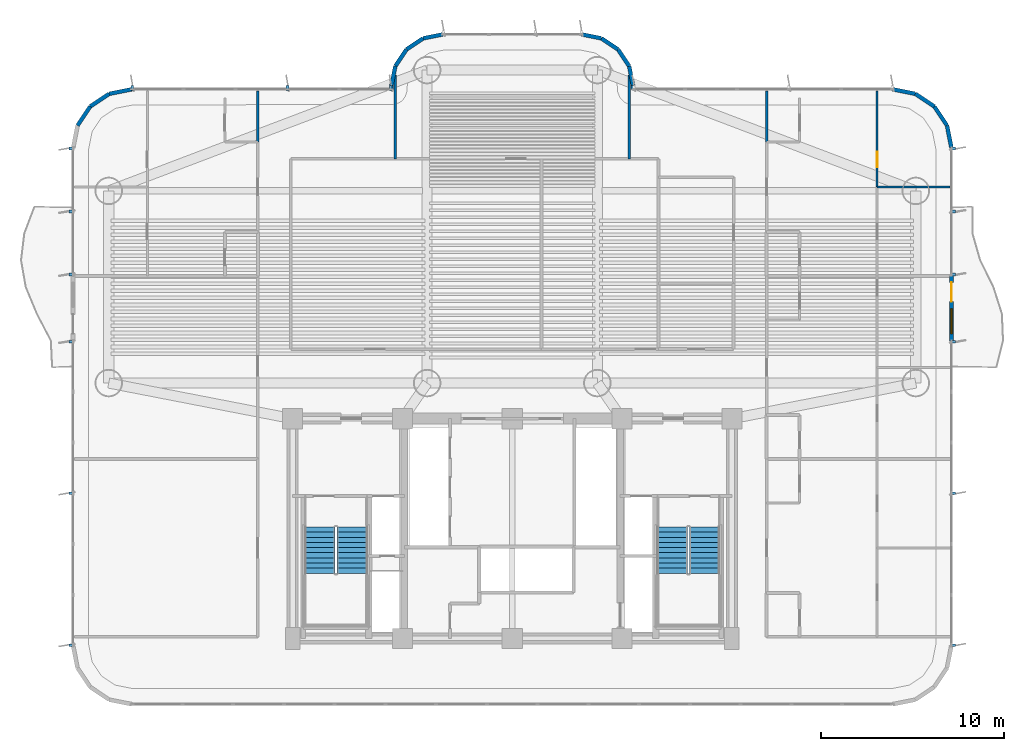
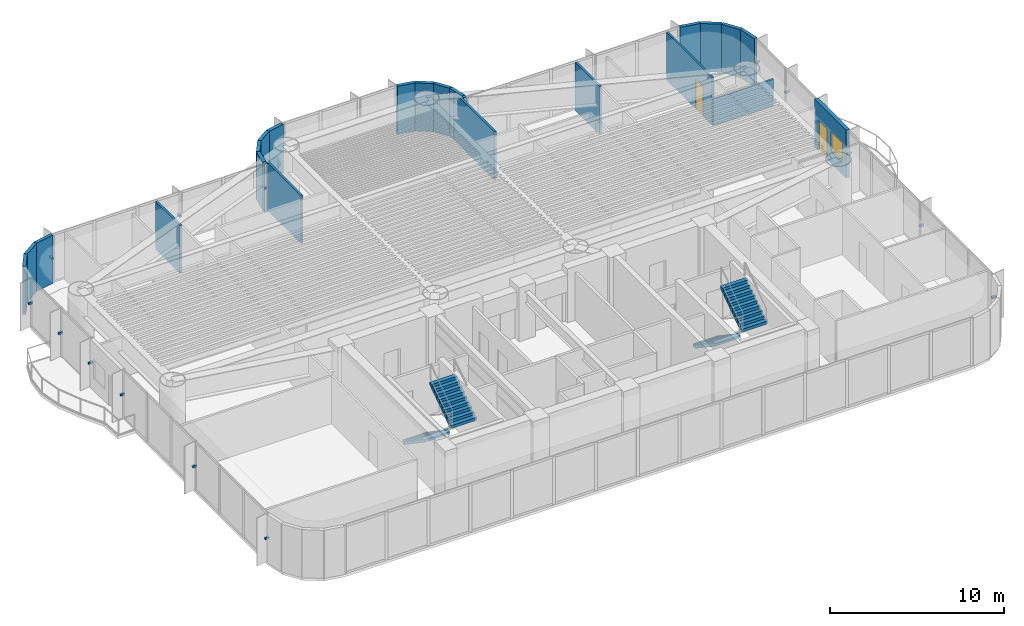
# One storey, part 12 of 17: 24 walls, 15 discrete accessories, 4 stair flights, 2 doors, 1 window, 3 openings, 2 elements without a shape of their own.
"""IFC4 building model written with IfcOpenShell, lengths in metres."""

from ifc_helpers import new_model, si_unit, direction, frame, frame_2d, origin, origin_2d, place, context, subcontext, project, spatial, polyline, rectangle, outline, extrude, source, transform, mapped, material, layer, layer_set, type_object, element, fill, aggregate, save


model = new_model("IFC4")

# Units and contexts
model_context = context("Model", 3, precision=1e-05, world=origin(), true_north=direction((0.0, 1.0)))
body_context = subcontext(model_context, "Body", "Model", "MODEL_VIEW")
ifc_project = project(units=[si_unit("LENGTHUNIT", "METRE"), si_unit("AREAUNIT", "SQUARE_METRE"), si_unit("VOLUMEUNIT", "CUBIC_METRE"), si_unit("PLANEANGLEUNIT", "RADIAN"), si_unit("MASSUNIT", "GRAM", prefix="KILO")], contexts=[model_context])

# Site, building, storey
site_placement = place(None, origin())
site = spatial("IfcSite", under=ifc_project, at=site_placement, CompositionType="ELEMENT")
building_placement = place(site_placement, origin())
building = spatial("IfcBuilding", under=site, at=building_placement, Name="Brelvock Crest Care Tower", CompositionType="ELEMENT")
storey_placement = place(building_placement, frame((0.0, 0.0, 76.139892578125)))
storey = spatial("IfcBuildingStorey", under=building, at=storey_placement, Name="L19", CompositionType="ELEMENT", Elevation=76.139892578125)

# Wall, openings, door, window
ifc_material_1 = material(Name="Precast concrete N40 (40 MPa)", Category="concrete")
ifc_layer_1 = layer(ifc_material_1, 0.239990234375, Name="WL-EX1")
ifc_layer_set_1 = layer_set([ifc_layer_1], Name="Precast concrete N40 (40 MPa)")
wall_type_1 = type_object("IfcWallType", Name="WL-EX1", PredefinedType="SOLIDWALL", material=ifc_layer_set_1)
wall_1_placement = place(storey_placement, frame((60.0, 25.85009765625, 0.0), z_axis=(0.0, 0.0, 1.0), x_axis=(0.0, -1.0, 0.0)))
wall_1 = element("IfcWall", 1, at=wall_1_placement, inside=storey, type_object=wall_type_1, Name="L19 Exterior Spandrel Wall WL-BAL-L19-E", PredefinedType="SOLIDWALL", context=body_context, shape_type="SweptSolid", body=[
    extrude(rectangle(XDim=3.60009765625, YDim=0.239990234375, at=frame_2d((1.800048828125, 0.0))), origin(), (0.0, 0.0, 1.0), 3.3720703125),
])
opening_1_placement = place(wall_1_placement, frame((0.39990234375, 0.0, 0.0)))
opening_1 = element("IfcOpeningElement", 2, at=opening_1_placement, cuts=wall_1, Name="Opening BD-1", PredefinedType="OPENING", context=body_context, shape_type="SweptSolid", body=[
    extrude(rectangle(XDim=1.050048828125, YDim=2.14990234375, at=origin_2d()), frame((0.52490234375, 0.1298828125, 1.074951171875), z_axis=(0.0, -1.0, 0.0), x_axis=(1.0, 0.0, 0.0)), (0.0, 0.0, 1.0), 0.260009765625),
])
opening_2_placement = place(wall_1_placement, frame((1.85009765625, 0.0, 0.85009765625)))
opening_2 = element("IfcOpeningElement", 3, at=opening_2_placement, cuts=wall_1, Name="Opening W-01", PredefinedType="OPENING", context=body_context, shape_type="SweptSolid", body=[
    extrude(rectangle(XDim=1.35009765625, YDim=1.35009765625, at=origin_2d()), frame((0.675048828125, 0.1298828125, 0.675048828125), z_axis=(0.0, -1.0, 0.0), x_axis=(1.0, 0.0, 0.0)), (0.0, 0.0, 1.0), 0.260009765625),
])
ifc_material_2 = material(Name="Dark Glass Double Glazed Low-E", Category="glass")
door_type_1 = type_object("IfcDoorType", Name="DR-BAL1", OperationType="NOTDEFINED", PredefinedType="DOOR", material=ifc_material_2)
shared_shape_1 = source(origin(), body_context, "Body", "SweptSolid", [
    extrude(rectangle(XDim=1.050048828125, YDim=2.14990234375, at=origin_2d()), frame((0.52490234375, 0.02490234375, 1.074951171875), z_axis=(0.0, -1.0, 0.0), x_axis=(1.0, 0.0, 0.0)), (0.0, 0.0, 1.0), 0.050048828125),
])
door_1_placement = place(opening_1_placement, origin())
door_1 = element("IfcDoor", 4, at=door_1_placement, inside=storey, type_object=door_type_1, Name="L19 E Wave Balcony Glazed Door", OperationType="SINGLE_SWING_RIGHT", OverallHeight=2.14990234375, OverallWidth=1.050048828125, PredefinedType="DOOR", context=body_context, shape_type="MappedRepresentation", body=[
    mapped(shared_shape_1, transform((0.0, 0.0, 0.0), x_axis=(1.0, 0.0, 0.0), y_axis=(0.0, 1.0, 0.0), z_axis=(0.0, 0.0, 1.0), scale=1.0)),
])
fill(opening_1, door_1)
window_type = type_object("IfcWindowType", Name="WN-EX1", PartitioningType="SINGLE_PANEL", PredefinedType="WINDOW", material=ifc_material_2)
shared_shape_2 = source(origin(), body_context, "Body", "SweptSolid", [
    extrude(rectangle(XDim=1.35009765625, YDim=1.35009765625, at=origin_2d()), frame((0.675048828125, 0.030029296875, 0.675048828125), z_axis=(0.0, -1.0, 0.0), x_axis=(1.0, 0.0, 0.0)), (0.0, 0.0, 1.0), 0.06005859375),
])
window_placement = place(opening_2_placement, origin())
window = element("IfcWindow", 5, at=window_placement, inside=storey, type_object=window_type, Name="L19 E Suite Casement Window", OverallHeight=1.35009765625, OverallWidth=1.35009765625, PartitioningType="SINGLE_PANEL", PredefinedType="WINDOW", context=body_context, shape_type="MappedRepresentation", body=[
    mapped(shared_shape_2, transform((0.0, 0.0, 0.0), x_axis=(1.0, 0.0, 0.0), y_axis=(0.0, 1.0, 0.0), z_axis=(0.0, 0.0, 1.0), scale=1.0)),
])
fill(opening_2, window)

# Walls
ifc_layer_2 = layer(ifc_material_1, 0.215087890625, Name="WL-EX2")
ifc_layer_set_2 = layer_set([ifc_layer_2], Name="Precast concrete N40 (40 MPa)")
wall_type_2 = type_object("IfcWallType", Name="WL-EX2", PredefinedType="SOLIDWALL", material=ifc_layer_set_2)
for number, where, z_axis, x_axis, name in (
    (6, (58.024658203125, 35.75634765625, 0.0), (0.0, 0.0, 1.0), (0.831478245117, -0.555557312883, 0.0), "L19 Rounded Corner Wall 00"),
    (7, (59.062744140625, 35.062744140625, 0.0), (0.0, 0.0, 1.0), (0.555557312883, -0.831478245117, 0.0), "L19 Rounded Corner Wall 01"),
    (8, (59.75634765625, 34.024658203125, 0.0), (0.0, 0.0, 1.0), (0.195138390419, -0.980775717779, 0.0), "L19 Rounded Corner Wall 02"),
    (9, (12.24365234375, 34.024658203125, 0.0), (0.0, 0.0, 1.0), (0.555557312883, 0.831478245117, 0.0), "L19 Rounded Corner Wall 15"),
    (10, (12.937255859375, 35.062744140625, 0.0), (0.0, 0.0, 1.0), (0.831478245117, 0.555557312883, 0.0), "L19 Rounded Corner Wall 16"),
    (11, (13.975341796875, 35.75634765625, 0.0), (0.0, 0.0, 1.0), (0.980775717779, 0.195138390419, 0.0), "L19 Rounded Corner Wall 17"),
):
    element("IfcWall", number, at=place(storey_placement, frame(where, z_axis=z_axis, x_axis=x_axis)), inside=storey, type_object=wall_type_2, Name=name, PredefinedType="SOLIDWALL", context=body_context, shape_type="SweptSolid", body=[
        extrude(rectangle(XDim=1.24853515625, YDim=0.215087890625, at=frame_2d((0.624267578125, 0.0))), origin(), (0.0, 0.0, 1.0), 3.3720703125),
    ])
wall_2_placement = place(storey_placement, frame((29.39990234375, 36.0, 0.0), z_axis=(0.0, 0.0, 1.0), x_axis=(0.0, 1.0, 0.0)))
element("IfcWall", 12, at=wall_2_placement, inside=storey, type_object=wall_type_2, Name="L19 Rounded Corner Wall 19", PredefinedType="SOLIDWALL", context=body_context, shape_type="SweptSolid", body=[
    extrude(rectangle(XDim=0.199951171875, YDim=0.215087890625, at=frame_2d((0.10009765625, 0.0))), origin(), (0.0, 0.0, 1.0), 3.3720703125),
])
wall_3_placement = place(storey_placement, frame((29.39990234375, 36.199951171875, 0.0), z_axis=(0.0, 0.0, 1.0), x_axis=(0.195084651288, 0.980786408364, 0.0)))
element("IfcWall", 13, at=wall_3_placement, inside=storey, type_object=wall_type_2, Name="L19 Rounded Corner Wall 20", PredefinedType="SOLIDWALL", context=body_context, shape_type="SweptSolid", body=[
    extrude(rectangle(XDim=1.092529296875, YDim=0.215087890625, at=frame_2d((0.54638671875, 0.0))), origin(), (0.0, 0.0, 1.0), 3.3720703125),
])
wall_4_placement = place(storey_placement, frame((29.613037109375, 37.271484375, 0.0), z_axis=(0.0, 0.0, 1.0), x_axis=(0.555679482341, 0.831396603857, 0.0)))
element("IfcWall", 14, at=wall_4_placement, inside=storey, type_object=wall_type_2, Name="L19 Rounded Corner Wall 21", PredefinedType="SOLIDWALL", context=body_context, shape_type="SweptSolid", body=[
    extrude(rectangle(XDim=1.0927734375, YDim=0.215087890625, at=frame_2d((0.54638671875, 0.0))), origin(), (0.0, 0.0, 1.0), 3.3720703125),
])
wall_5_placement = place(storey_placement, frame((30.22021484375, 38.179931640625, 0.0), z_axis=(0.0, 0.0, 1.0), x_axis=(0.831430845238, 0.555628247651, 0.0)))
element("IfcWall", 15, at=wall_5_placement, inside=storey, type_object=wall_type_2, Name="L19 Rounded Corner Wall 22", PredefinedType="SOLIDWALL", context=body_context, shape_type="SweptSolid", body=[
    extrude(rectangle(XDim=1.09228515625, YDim=0.215087890625, at=frame_2d((0.546142578125, 0.0))), origin(), (0.0, 0.0, 1.0), 3.3720703125),
])
for number, where, z_axis, x_axis, name in (
    (16, (31.12841796875, 38.786865234375, 0.0), (0.0, 0.0, 1.0), (0.980786408364, 0.195084651288, 0.0), "L19 Rounded Corner Wall 23"),
    (17, (39.800048828125, 39.0, 0.0), (0.0, 0.0, 1.0), (0.980786408364, -0.195084651288, 0.0), "L19 Rounded Corner Wall 25"),
):
    element("IfcWall", number, at=place(storey_placement, frame(where, z_axis=z_axis, x_axis=x_axis)), inside=storey, type_object=wall_type_2, Name=name, PredefinedType="SOLIDWALL", context=body_context, shape_type="SweptSolid", body=[
        extrude(rectangle(XDim=1.092529296875, YDim=0.215087890625, at=frame_2d((0.54638671875, 0.0))), origin(), (0.0, 0.0, 1.0), 3.3720703125),
    ])
wall_6_placement = place(storey_placement, frame((40.87158203125, 38.786865234375, 0.0), z_axis=(0.0, 0.0, 1.0), x_axis=(0.831430845238, -0.555628247651, 0.0)))
element("IfcWall", 18, at=wall_6_placement, inside=storey, type_object=wall_type_2, Name="L19 Rounded Corner Wall 26", PredefinedType="SOLIDWALL", context=body_context, shape_type="SweptSolid", body=[
    extrude(rectangle(XDim=1.09228515625, YDim=0.215087890625, at=frame_2d((0.546142578125, 0.0))), origin(), (0.0, 0.0, 1.0), 3.3720703125),
])
wall_7_placement = place(storey_placement, frame((41.77978515625, 38.179931640625, 0.0), z_axis=(0.0, 0.0, 1.0), x_axis=(0.555679482341, -0.831396603857, 0.0)))
element("IfcWall", 19, at=wall_7_placement, inside=storey, type_object=wall_type_2, Name="L19 Rounded Corner Wall 27", PredefinedType="SOLIDWALL", context=body_context, shape_type="SweptSolid", body=[
    extrude(rectangle(XDim=1.0927734375, YDim=0.215087890625, at=frame_2d((0.54638671875, 0.0))), origin(), (0.0, 0.0, 1.0), 3.3720703125),
])
wall_8_placement = place(storey_placement, frame((42.386962890625, 37.271484375, 0.0), z_axis=(0.0, 0.0, 1.0), x_axis=(0.195084651288, -0.980786408364, 0.0)))
element("IfcWall", 20, at=wall_8_placement, inside=storey, type_object=wall_type_2, Name="L19 Rounded Corner Wall 28", PredefinedType="SOLIDWALL", context=body_context, shape_type="SweptSolid", body=[
    extrude(rectangle(XDim=1.092529296875, YDim=0.215087890625, at=frame_2d((0.54638671875, 0.0))), origin(), (0.0, 0.0, 1.0), 3.3720703125),
])
wall_9_placement = place(storey_placement, frame((42.60009765625, 36.199951171875, 0.0), z_axis=(0.0, 0.0, 1.0), x_axis=(0.0, -1.0, 0.0)))
element("IfcWall", 21, at=wall_9_placement, inside=storey, type_object=wall_type_2, Name="L19 Rounded Corner Wall 29", PredefinedType="SOLIDWALL", context=body_context, shape_type="SweptSolid", body=[
    extrude(rectangle(XDim=0.199951171875, YDim=0.215087890625, at=frame_2d((0.10009765625, 0.0))), origin(), (0.0, 0.0, 1.0), 3.3720703125),
])
wall_10_placement = place(storey_placement, frame((56.800048828125, 36.0, 0.0), z_axis=(0.0, 0.0, 1.0), x_axis=(0.980775717779, -0.195138390419, 0.0)))
element("IfcWall", 22, at=wall_10_placement, inside=storey, type_object=wall_type_2, Name="L19 Rounded Corner Wall 31", PredefinedType="SOLIDWALL", context=body_context, shape_type="SweptSolid", body=[
    extrude(rectangle(XDim=1.24853515625, YDim=0.215087890625, at=frame_2d((0.624267578125, 0.0))), origin(), (0.0, 0.0, 1.0), 3.3720703125),
])
ifc_material_3 = material(Name="Masonry Blockwork Acoustic Partition", Category="masonry")
ifc_layer_3 = layer(ifc_material_3, 0.14990234375, Name="WL-INT1")
ifc_layer_set_3 = layer_set([ifc_layer_3], Name="Masonry Blockwork Acoustic Partition")
wall_type_3 = type_object("IfcWallType", Name="WL-INT1", PredefinedType="PARTITIONING", material=ifc_layer_set_3)
wall_11_placement = place(storey_placement, frame((22.10009765625, 33.1201171875, 0.0), z_axis=(0.0, 0.0, 1.0), x_axis=(0.0, 1.0, 0.0)))
element("IfcWall", 23, at=wall_11_placement, inside=storey, type_object=wall_type_3, Name="L19 Interior Wall WL-UCK-L19-WW3", PredefinedType="PARTITIONING", context=body_context, shape_type="SweptSolid", body=[
    extrude(rectangle(XDim=2.800537109375, YDim=0.14990234375, at=frame_2d((1.400390625, 0.0))), origin(), (0.0, 0.0, 1.0), 3.342041015625),
])
for number, where, z_axis, x_axis, name in (
    (24, (29.60009765625, 32.199951171875, 0.0), (0.0, 0.0, 1.0), (0.0, 1.0, 0.0), "L19 Interior Wall WL-BX-L19-NHUB-W"),
    (25, (42.39990234375, 32.199951171875, 0.0), (0.0, 0.0, 1.0), (0.0, 1.0, 0.0), "L19 Interior Wall WL-BX-L19-NHUB-E"),
):
    element("IfcWall", number, at=place(storey_placement, frame(where, z_axis=z_axis, x_axis=x_axis)), inside=storey, type_object=wall_type_3, Name=name, PredefinedType="PARTITIONING", context=body_context, shape_type="SweptSolid", body=[
        extrude(rectangle(XDim=4.595458984375, YDim=0.14990234375, at=frame_2d((2.2978515625, 0.0))), origin(), (0.0, 0.0, 1.0), 3.342041015625),
    ])
wall_12_placement = place(storey_placement, frame((49.89990234375, 33.1201171875, 0.0), z_axis=(0.0, 0.0, 1.0), x_axis=(0.0, 1.0, 0.0)))
element("IfcWall", 26, at=wall_12_placement, inside=storey, type_object=wall_type_3, Name="L19 Interior Wall WL-UCK-L19-EW3", PredefinedType="PARTITIONING", context=body_context, shape_type="SweptSolid", body=[
    extrude(rectangle(XDim=2.800048828125, YDim=0.14990234375, at=frame_2d((1.39990234375, 0.0))), origin(), (0.0, 0.0, 1.0), 3.342041015625),
])
ifc_material_4 = material(Name="Gypsum Plasterboard Partition", Category="gypsum")
ifc_layer_4 = layer(ifc_material_4, 0.1201171875, Name="WL-INT2")
ifc_layer_set_4 = layer_set([ifc_layer_4], Name="Gypsum Plasterboard Partition")
wall_type_4 = type_object("IfcWallType", Name="WL-INT2", PredefinedType="PARTITIONING", material=ifc_layer_set_4)
wall_13_placement = place(storey_placement, frame((55.93603515625, 30.659912109375, 0.0), z_axis=(0.0, 0.0, 1.0), x_axis=(1.0, 0.0, 0.0)))
element("IfcWall", 27, at=wall_13_placement, inside=storey, type_object=wall_type_4, Name="L19 Interior Wall WL-UBSP-L19-EW3", PredefinedType="PARTITIONING", context=body_context, shape_type="SweptSolid", body=[
    extrude(rectangle(XDim=3.98388671875, YDim=0.1201171875, at=frame_2d((1.991943359375, 0.0))), origin(), (0.0, 0.0, 1.0), 1.857177734375),
])

# Wall, opening, door
wall_14_placement = place(storey_placement, frame((55.93603515625, 30.659912109375, 0.0), z_axis=(0.0, 0.0, 1.0), x_axis=(0.0, 1.0, 0.0)))
wall_14 = element("IfcWall", 28, at=wall_14_placement, inside=storey, type_object=wall_type_4, Name="L19 Interior Wall WL-UBD2-L19-EW3", PredefinedType="PARTITIONING", context=body_context, shape_type="SweptSolid", body=[
    extrude(rectangle(XDim=5.260009765625, YDim=0.1201171875, at=frame_2d((2.6298828125, 0.0))), origin(), (0.0, 0.0, 1.0), 3.342041015625),
])
opening_3_placement = place(wall_14_placement, frame((1.080078125, 0.0, 0.0)))
opening_3 = element("IfcOpeningElement", 29, at=opening_3_placement, cuts=wall_14, Name="Opening ID-1", PredefinedType="OPENING", context=body_context, shape_type="SweptSolid", body=[
    extrude(rectangle(XDim=0.860107421875, YDim=2.10009765625, at=origin_2d()), frame((0.43017578125, 0.070068359375, 1.050048828125), z_axis=(0.0, -1.0, 0.0), x_axis=(1.0, 0.0, 0.0)), (0.0, 0.0, 1.0), 0.14013671875),
])
ifc_material_5 = material(Name="Engineered Hardwood Timber", Category="wood")
door_type_2 = type_object("IfcDoorType", Name="DR-INT1", OperationType="NOTDEFINED", PredefinedType="DOOR", material=ifc_material_5)
shared_shape_3 = source(origin(), body_context, "Body", "SweptSolid", [
    extrude(rectangle(XDim=0.860107421875, YDim=2.10009765625, at=origin_2d()), frame((0.43017578125, 0.02490234375, 1.050048828125), z_axis=(0.0, -1.0, 0.0), x_axis=(1.0, 0.0, 0.0)), (0.0, 0.0, 1.0), 0.050048828125),
])
door_2_placement = place(opening_3_placement, origin())
door_2 = element("IfcDoor", 30, at=door_2_placement, inside=storey, type_object=door_type_2, Name="L19 Second Room Door EW3", OperationType="SINGLE_SWING_LEFT", OverallHeight=2.10009765625, OverallWidth=0.860107421875, PredefinedType="DOOR", context=body_context, shape_type="MappedRepresentation", body=[
    mapped(shared_shape_3, transform((0.0, 0.0, 0.0), x_axis=(1.0, 0.0, 0.0), y_axis=(0.0, 1.0, 0.0), z_axis=(0.0, 0.0, 1.0), scale=1.0)),
])
fill(opening_3, door_2)

# Stair, stair flights
ifc_material_6 = material(Name="Concrete N40 (40 MPa)", Category="concrete")
stair_type = type_object("IfcStairType", Name="ST-CORE1", PredefinedType="HALF_TURN_STAIR", material=ifc_material_6)
stair_1_placement = place(storey_placement, origin())
stair_1 = element("IfcStair", 31, at=stair_1_placement, inside=storey, type_object=stair_type, Name="L19 Fire-Isolated Core Stair ST-1", PredefinedType="HALF_TURN_STAIR")
stair_flight_type = type_object("IfcStairFlightType", Name="STF-1", PredefinedType="STRAIGHT", material=ifc_material_6)
stair_flight_1_placement = place(storey_placement, frame((25.469970703125, 12.080078125, 0.0), z_axis=(0.0, 0.0, 1.0), x_axis=(0.0, -1.0, 0.0)))
stair_flight_1 = element("IfcStairFlight", 32, at=stair_flight_1_placement, type_object=stair_flight_type, Name="ST-1 flight 1", NumberOfRisers=10, NumberOfTreads=9, PredefinedType="STRAIGHT", RiserHeight=0.189, TreadLength=0.28, context=body_context, shape_type="SweptSolid", body=[
    extrude(outline(polyline([(-0.00390625, -0.014892578125), (-0.00390625, -0.0078125), (-0.00390625, -0.00048828125), (-0.00390625, 0.0068359375), (-0.00390625, 0.01416015625), (-0.00390625, 0.021484375), (-0.00390625, 0.02880859375), (-0.00390625, 0.035888671875), (-0.00390625, 0.043212890625), (-0.00390625, 0.050537109375), (-0.00390625, 0.057861328125), (-0.00390625, 0.065185546875), (-0.00390625, 0.072509765625), (-0.00390625, 0.07958984375), (-0.00390625, 0.0869140625), (-0.00390625, 0.09423828125), (-0.00390625, 0.1015625), (-0.00390625, 0.10888671875), (-0.00390625, 0.1162109375), (-0.00390625, 0.12353515625), (-0.00390625, 0.130615234375), (-0.00390625, 0.137939453125), (-0.00390625, 0.145263671875), (-0.00390625, 0.152587890625), (-0.00390625, 0.159912109375), (-0.00390625, 0.167236328125), (-0.00390625, 0.17431640625), (-0.00390625, 0.181640625), (-0.00390625, 0.18896484375), (0.0, 0.18896484375), (0.280029296875, 0.18896484375), (0.280029296875, 0.3779296875), (0.56005859375, 0.3779296875), (0.56005859375, 0.56689453125), (0.840087890625, 0.56689453125), (0.840087890625, 0.756103515625), (1.1201171875, 0.756103515625), (1.1201171875, 0.945068359375), (1.39990234375, 0.945068359375), (1.39990234375, 1.134033203125), (1.679931640625, 1.134033203125), (1.679931640625, 1.322998046875), (1.9599609375, 1.322998046875), (1.9599609375, 1.511962890625), (2.239990234375, 1.511962890625), (2.239990234375, 1.700927734375), (2.52001953125, 1.700927734375), (2.52392578125, 1.700927734375), (2.523681640625, 1.70068359375), (2.52392578125, 1.700439453125), (2.523681640625, 1.699951171875), (2.52392578125, 1.69970703125), (2.523681640625, 1.699462890625), (2.52392578125, 1.698974609375), (2.523681640625, 1.69873046875), (2.52392578125, 1.698486328125), (2.523681640625, 1.697998046875), (2.52392578125, 1.69775390625), (2.523681640625, 1.697509765625), (2.52392578125, 1.697021484375), (2.523681640625, 1.69677734375), (2.52392578125, 1.696533203125), (2.523681640625, 1.6962890625), (2.52392578125, 1.69580078125), (2.523681640625, 1.695556640625), (2.52392578125, 1.6953125), (2.523681640625, 1.69482421875), (2.52392578125, 1.694580078125), (2.523681640625, 1.6943359375), (2.52392578125, 1.69384765625), (2.523681640625, 1.693603515625), (2.52392578125, 1.693359375), (2.523681640625, 1.69287109375), (2.52392578125, 1.692626953125), (2.523681640625, 1.6923828125), (2.52392578125, 1.69189453125), (2.52001953125, 1.520263671875), (0.267822265625, 0.0), (0.0, 0.0), (0.0, -0.014892578125), (-0.00390625, -0.014892578125)])), frame((0.0, 0.83984375, 0.0), z_axis=(0.0, -1.0, 0.0), x_axis=(1.0, 0.0, 0.0)), (0.0, 0.0, 1.0), 1.679931640625),
])
stair_flight_2_placement = place(storey_placement, frame((27.27001953125, 9.56005859375, 1.89013671875), z_axis=(0.0, 0.0, 1.0), x_axis=(0.0, 1.0, 0.0)))
stair_flight_2 = element("IfcStairFlight", 33, at=stair_flight_2_placement, type_object=stair_flight_type, Name="ST-1 flight 2", NumberOfRisers=10, NumberOfTreads=9, PredefinedType="STRAIGHT", RiserHeight=0.189, TreadLength=0.28, context=body_context, shape_type="SweptSolid", body=[
    extrude(outline(polyline([(-0.00390625, -0.014892578125), (-0.00390625, -0.0078125), (-0.00390625, -0.00048828125), (-0.00390625, 0.0068359375), (-0.00390625, 0.01416015625), (-0.00390625, 0.021484375), (-0.00390625, 0.02880859375), (-0.00390625, 0.035888671875), (-0.00390625, 0.043212890625), (-0.00390625, 0.050537109375), (-0.00390625, 0.057861328125), (-0.00390625, 0.065185546875), (-0.00390625, 0.072509765625), (-0.00390625, 0.07958984375), (-0.00390625, 0.0869140625), (-0.00390625, 0.09423828125), (-0.00390625, 0.1015625), (-0.00390625, 0.10888671875), (-0.00390625, 0.1162109375), (-0.00390625, 0.12353515625), (-0.00390625, 0.130615234375), (-0.00390625, 0.137939453125), (-0.00390625, 0.145263671875), (-0.00390625, 0.152587890625), (-0.00390625, 0.159912109375), (-0.00390625, 0.167236328125), (-0.00390625, 0.17431640625), (-0.00390625, 0.181640625), (-0.00390625, 0.18896484375), (0.0, 0.18896484375), (0.280029296875, 0.18896484375), (0.280029296875, 0.3779296875), (0.56005859375, 0.3779296875), (0.56005859375, 0.56689453125), (0.840087890625, 0.56689453125), (0.840087890625, 0.756103515625), (1.1201171875, 0.756103515625), (1.1201171875, 0.945068359375), (1.39990234375, 0.945068359375), (1.39990234375, 1.134033203125), (1.679931640625, 1.134033203125), (1.679931640625, 1.322998046875), (1.9599609375, 1.322998046875), (1.9599609375, 1.511962890625), (2.239990234375, 1.511962890625), (2.239990234375, 1.700927734375), (2.52001953125, 1.700927734375), (2.52392578125, 1.700927734375), (2.523681640625, 1.70068359375), (2.52392578125, 1.700439453125), (2.523681640625, 1.699951171875), (2.52392578125, 1.69970703125), (2.523681640625, 1.699462890625), (2.52392578125, 1.698974609375), (2.523681640625, 1.69873046875), (2.52392578125, 1.698486328125), (2.523681640625, 1.697998046875), (2.52392578125, 1.69775390625), (2.523681640625, 1.697509765625), (2.52392578125, 1.697021484375), (2.523681640625, 1.69677734375), (2.52392578125, 1.696533203125), (2.523681640625, 1.6962890625), (2.52392578125, 1.69580078125), (2.523681640625, 1.695556640625), (2.52392578125, 1.6953125), (2.523681640625, 1.69482421875), (2.52392578125, 1.694580078125), (2.523681640625, 1.6943359375), (2.52392578125, 1.69384765625), (2.523681640625, 1.693603515625), (2.52392578125, 1.693359375), (2.523681640625, 1.69287109375), (2.52392578125, 1.692626953125), (2.523681640625, 1.6923828125), (2.52392578125, 1.69189453125), (2.52001953125, 1.520263671875), (0.267822265625, 0.0), (0.0, 0.0), (0.0, -0.014892578125), (-0.00390625, -0.014892578125)])), frame((0.0, 0.83984375, 0.0), z_axis=(0.0, -1.0, 0.0), x_axis=(1.0, 0.0, 0.0)), (0.0, 0.0, 1.0), 1.679931640625),
])
aggregate(stair_1, [stair_flight_1, stair_flight_2])

stair_2_placement = place(storey_placement, origin())
stair_2 = element("IfcStair", 34, at=stair_2_placement, inside=storey, type_object=stair_type, Name="L19 Fire-Isolated Core Stair ST-2", PredefinedType="HALF_TURN_STAIR")
stair_flight_3_placement = place(storey_placement, frame((44.72998046875, 12.080078125, 0.0), z_axis=(0.0, 0.0, 1.0), x_axis=(0.0, -1.0, 0.0)))
stair_flight_3 = element("IfcStairFlight", 35, at=stair_flight_3_placement, type_object=stair_flight_type, Name="ST-2 flight 1", NumberOfRisers=10, NumberOfTreads=9, PredefinedType="STRAIGHT", RiserHeight=0.189, TreadLength=0.28, context=body_context, shape_type="SweptSolid", body=[
    extrude(outline(polyline([(-0.00390625, -0.014892578125), (-0.00390625, -0.0078125), (-0.00390625, -0.00048828125), (-0.00390625, 0.0068359375), (-0.00390625, 0.01416015625), (-0.00390625, 0.021484375), (-0.00390625, 0.02880859375), (-0.00390625, 0.035888671875), (-0.00390625, 0.043212890625), (-0.00390625, 0.050537109375), (-0.00390625, 0.057861328125), (-0.00390625, 0.065185546875), (-0.00390625, 0.072509765625), (-0.00390625, 0.07958984375), (-0.00390625, 0.0869140625), (-0.00390625, 0.09423828125), (-0.00390625, 0.1015625), (-0.00390625, 0.10888671875), (-0.00390625, 0.1162109375), (-0.00390625, 0.12353515625), (-0.00390625, 0.130615234375), (-0.00390625, 0.137939453125), (-0.00390625, 0.145263671875), (-0.00390625, 0.152587890625), (-0.00390625, 0.159912109375), (-0.00390625, 0.167236328125), (-0.00390625, 0.17431640625), (-0.00390625, 0.181640625), (-0.00390625, 0.18896484375), (0.0, 0.18896484375), (0.280029296875, 0.18896484375), (0.280029296875, 0.3779296875), (0.56005859375, 0.3779296875), (0.56005859375, 0.56689453125), (0.840087890625, 0.56689453125), (0.840087890625, 0.756103515625), (1.1201171875, 0.756103515625), (1.1201171875, 0.945068359375), (1.39990234375, 0.945068359375), (1.39990234375, 1.134033203125), (1.679931640625, 1.134033203125), (1.679931640625, 1.322998046875), (1.9599609375, 1.322998046875), (1.9599609375, 1.511962890625), (2.239990234375, 1.511962890625), (2.239990234375, 1.700927734375), (2.52001953125, 1.700927734375), (2.52392578125, 1.700927734375), (2.523681640625, 1.70068359375), (2.52392578125, 1.700439453125), (2.523681640625, 1.699951171875), (2.52392578125, 1.69970703125), (2.523681640625, 1.699462890625), (2.52392578125, 1.698974609375), (2.523681640625, 1.69873046875), (2.52392578125, 1.698486328125), (2.523681640625, 1.697998046875), (2.52392578125, 1.69775390625), (2.523681640625, 1.697509765625), (2.52392578125, 1.697021484375), (2.523681640625, 1.69677734375), (2.52392578125, 1.696533203125), (2.523681640625, 1.6962890625), (2.52392578125, 1.69580078125), (2.523681640625, 1.695556640625), (2.52392578125, 1.6953125), (2.523681640625, 1.69482421875), (2.52392578125, 1.694580078125), (2.523681640625, 1.6943359375), (2.52392578125, 1.69384765625), (2.523681640625, 1.693603515625), (2.52392578125, 1.693359375), (2.523681640625, 1.69287109375), (2.52392578125, 1.692626953125), (2.523681640625, 1.6923828125), (2.52392578125, 1.69189453125), (2.52001953125, 1.520263671875), (0.267822265625, 0.0), (0.0, 0.0), (0.0, -0.014892578125), (-0.00390625, -0.014892578125)])), frame((0.0, 0.83984375, 0.0), z_axis=(0.0, -1.0, 0.0), x_axis=(1.0, 0.0, 0.0)), (0.0, 0.0, 1.0), 1.679931640625),
])
stair_flight_4_placement = place(storey_placement, frame((46.530029296875, 9.56005859375, 1.89013671875), z_axis=(0.0, 0.0, 1.0), x_axis=(0.0, 1.0, 0.0)))
stair_flight_4 = element("IfcStairFlight", 36, at=stair_flight_4_placement, type_object=stair_flight_type, Name="ST-2 flight 2", NumberOfRisers=10, NumberOfTreads=9, PredefinedType="STRAIGHT", RiserHeight=0.189, TreadLength=0.28, context=body_context, shape_type="SweptSolid", body=[
    extrude(outline(polyline([(-0.00390625, -0.014892578125), (-0.00390625, -0.0078125), (-0.00390625, -0.00048828125), (-0.00390625, 0.0068359375), (-0.00390625, 0.01416015625), (-0.00390625, 0.021484375), (-0.00390625, 0.02880859375), (-0.00390625, 0.035888671875), (-0.00390625, 0.043212890625), (-0.00390625, 0.050537109375), (-0.00390625, 0.057861328125), (-0.00390625, 0.065185546875), (-0.00390625, 0.072509765625), (-0.00390625, 0.07958984375), (-0.00390625, 0.0869140625), (-0.00390625, 0.09423828125), (-0.00390625, 0.1015625), (-0.00390625, 0.10888671875), (-0.00390625, 0.1162109375), (-0.00390625, 0.12353515625), (-0.00390625, 0.130615234375), (-0.00390625, 0.137939453125), (-0.00390625, 0.145263671875), (-0.00390625, 0.152587890625), (-0.00390625, 0.159912109375), (-0.00390625, 0.167236328125), (-0.00390625, 0.17431640625), (-0.00390625, 0.181640625), (-0.00390625, 0.18896484375), (0.0, 0.18896484375), (0.280029296875, 0.18896484375), (0.280029296875, 0.3779296875), (0.56005859375, 0.3779296875), (0.56005859375, 0.56689453125), (0.840087890625, 0.56689453125), (0.840087890625, 0.756103515625), (1.1201171875, 0.756103515625), (1.1201171875, 0.945068359375), (1.39990234375, 0.945068359375), (1.39990234375, 1.134033203125), (1.679931640625, 1.134033203125), (1.679931640625, 1.322998046875), (1.9599609375, 1.322998046875), (1.9599609375, 1.511962890625), (2.239990234375, 1.511962890625), (2.239990234375, 1.700927734375), (2.52001953125, 1.700927734375), (2.52392578125, 1.700927734375), (2.523681640625, 1.70068359375), (2.52392578125, 1.700439453125), (2.523681640625, 1.699951171875), (2.52392578125, 1.69970703125), (2.523681640625, 1.699462890625), (2.52392578125, 1.698974609375), (2.523681640625, 1.69873046875), (2.52392578125, 1.698486328125), (2.523681640625, 1.697998046875), (2.52392578125, 1.69775390625), (2.523681640625, 1.697509765625), (2.52392578125, 1.697021484375), (2.523681640625, 1.69677734375), (2.52392578125, 1.696533203125), (2.523681640625, 1.6962890625), (2.52392578125, 1.69580078125), (2.523681640625, 1.695556640625), (2.52392578125, 1.6953125), (2.523681640625, 1.69482421875), (2.52392578125, 1.694580078125), (2.523681640625, 1.6943359375), (2.52392578125, 1.69384765625), (2.523681640625, 1.693603515625), (2.52392578125, 1.693359375), (2.523681640625, 1.69287109375), (2.52392578125, 1.692626953125), (2.523681640625, 1.6923828125), (2.52392578125, 1.69189453125), (2.52001953125, 1.520263671875), (0.267822265625, 0.0), (0.0, 0.0), (0.0, -0.014892578125), (-0.00390625, -0.014892578125)])), frame((0.0, 0.83984375, 0.0), z_axis=(0.0, -1.0, 0.0), x_axis=(1.0, 0.0, 0.0)), (0.0, 0.0, 1.0), 1.679931640625),
])
aggregate(stair_2, [stair_flight_3, stair_flight_4])

# Discrete accessories
ifc_material_7 = material(Name="Steel Grade 350", Category="steel")
discrete_accessory_type = type_object("IfcDiscreteAccessoryType", Name="ACC-BRK1", PredefinedType="BRACKET", material=ifc_material_7)
shared_shape_4 = source(origin(), body_context, "Body", "SweptSolid", [
    extrude(rectangle(XDim=0.280029296875, YDim=0.139892578125, at=origin_2d()), origin(), (0.0, 0.0, 1.0), 0.139892578125),
])
for number, where, z_axis, x_axis, name in (
    (37, (60.080078125, 32.767578125, 1.6162109375), (0.0, 0.0, 1.0), (1.0, 0.0, 0.0), "L19 Facade Fin Bracket E03A-01"),
    (38, (60.080078125, 29.324951171875, 1.6162109375), (0.0, 0.0, 1.0), (1.0, 0.0, 0.0), "L19 Facade Fin Bracket E03A-02"),
    (39, (60.080078125, 25.882568359375, 1.6162109375), (0.0, 0.0, 1.0), (1.0, 0.0, 0.0), "L19 Facade Fin Bracket E03A-03"),
    (40, (60.080078125, 22.217529296875, 1.6162109375), (0.0, 0.0, 1.0), (1.0, 0.0, 0.0), "L19 Facade Fin Bracket E03B-01"),
    (41, (60.080078125, 13.925048828125, 1.6162109375), (0.0, 0.0, 1.0), (1.0, 0.0, 0.0), "L19 Facade Fin Bracket E03B-04"),
    (42, (60.080078125, 5.632568359375, 1.6162109375), (0.0, 0.0, 1.0), (1.0, 0.0, 0.0), "L19 Facade Fin Bracket E03B-07"),
    (43, (11.919921875, 5.632568359375, 1.6162109375), (0.0, 0.0, 1.0), (-1.0, 0.0, 0.0), "L19 Facade Fin Bracket E13A-01"),
    (44, (11.919921875, 13.925048828125, 1.6162109375), (0.0, 0.0, 1.0), (-1.0, 0.0, 0.0), "L19 Facade Fin Bracket E13A-04"),
    (45, (11.919921875, 22.217529296875, 1.6162109375), (0.0, 0.0, 1.0), (-1.0, 0.0, 0.0), "L19 Facade Fin Bracket E13A-07"),
    (46, (11.919921875, 25.882568359375, 1.6162109375), (0.0, 0.0, 1.0), (-1.0, 0.0, 0.0), "L19 Facade Fin Bracket E13B-01"),
    (47, (11.919921875, 29.324951171875, 1.6162109375), (0.0, 0.0, 1.0), (-1.0, 0.0, 0.0), "L19 Facade Fin Bracket E13B-02"),
    (48, (11.919921875, 32.767578125, 1.6162109375), (0.0, 0.0, 1.0), (-1.0, 0.0, 0.0), "L19 Facade Fin Bracket E13B-03"),
    (49, (15.232421875, 36.080078125, 1.6162109375), (0.0, 0.0, 1.0), (0.0, 1.0, 0.0), "L19 Facade Fin Bracket E18-01"),
    (50, (23.719970703125, 36.080078125, 1.6162109375), (0.0, 0.0, 1.0), (0.0, 1.0, 0.0), "L19 Facade Fin Bracket E18-04"),
    (51, (29.367431640625, 36.080078125, 1.6162109375), (0.0, 0.0, 1.0), (0.0, 1.0, 0.0), "L19 Facade Fin Bracket E18-06"),
):
    element("IfcDiscreteAccessory", number, at=place(storey_placement, frame(where, z_axis=z_axis, x_axis=x_axis)), inside=storey, type_object=discrete_accessory_type, Name=name, PredefinedType="BRACKET", context=body_context, shape_type="MappedRepresentation", body=[
        mapped(shared_shape_4, transform((0.0, 0.0, 0.0), x_axis=(1.0, 0.0, 0.0), y_axis=(0.0, 1.0, 0.0), z_axis=(0.0, 0.0, 1.0), scale=1.0)),
    ])

save(model, "model.ifc")
